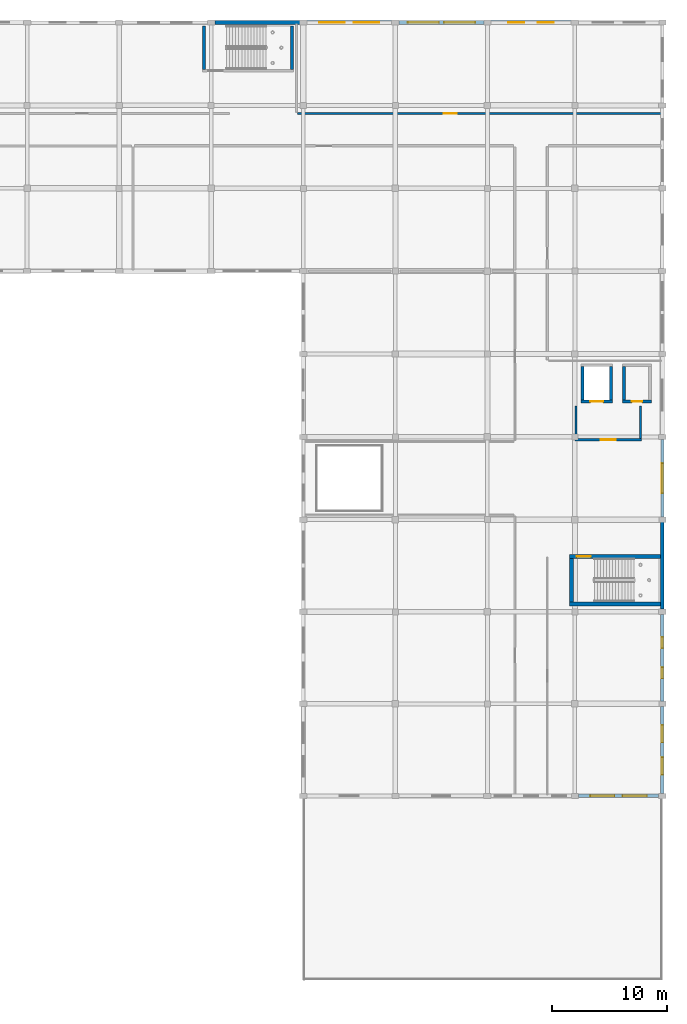
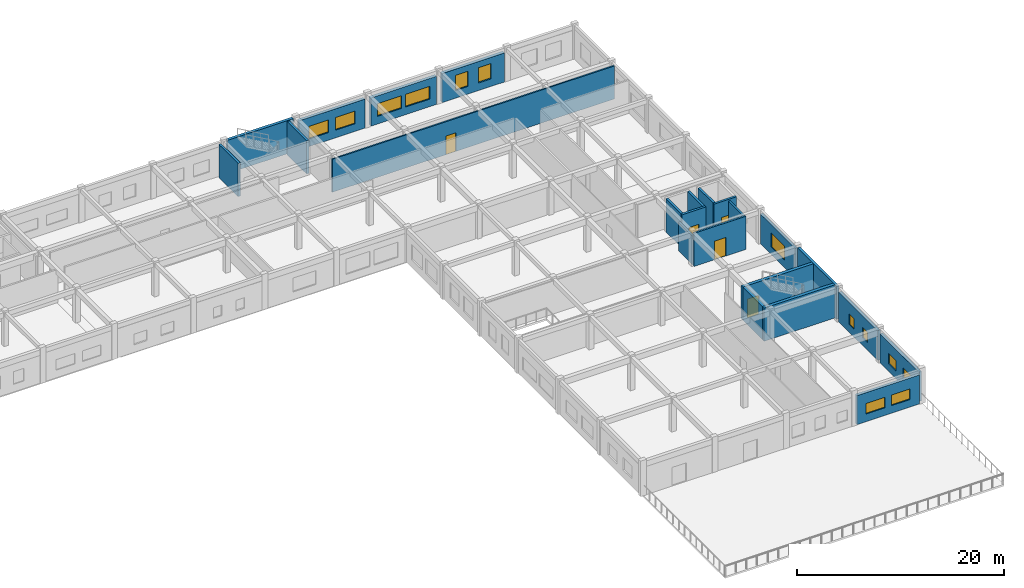
# One storey, part 14 of 19: 23 walls, 13 windows, 5 doors, 18 openings.
"""IFC4 building model written with IfcOpenShell, lengths in metres."""

from ifc_helpers import new_model, si_unit, direction, frame, frame_2d, origin, place, context, subcontext, project, spatial, rectangle, extrude, material, layer, layer_set, type_object, element, fill, save


model = new_model("IFC4")

# Units and contexts
model_context = context("Model", 3, precision=1e-05, world=origin(), true_north=direction((0.0, 1.0)))
body_context = subcontext(model_context, "Body", "Model", "MODEL_VIEW")
ifc_project = project(units=[si_unit("LENGTHUNIT", "METRE"), si_unit("AREAUNIT", "SQUARE_METRE"), si_unit("VOLUMEUNIT", "CUBIC_METRE"), si_unit("PLANEANGLEUNIT", "RADIAN"), si_unit("MASSUNIT", "GRAM", prefix="KILO")], contexts=[model_context])

# Site, building, storey
site_placement = place(None, origin())
site = spatial("IfcSite", under=ifc_project, at=site_placement, CompositionType="ELEMENT")
building_placement = place(site_placement, origin())
building = spatial("IfcBuilding", under=site, at=building_placement, Name="Kharva Crest Polytechnic", CompositionType="ELEMENT")
storey_placement = place(building_placement, frame((0.0, 0.0, 21.60009765625)))
storey = spatial("IfcBuildingStorey", under=building, at=storey_placement, Name="L05", CompositionType="ELEMENT", Elevation=21.60009765625)

# Wall
ifc_material_1 = material(Name="Concrete C40/50", Category="concrete")
ifc_layer_1 = layer(ifc_material_1, 0.35009765625, Name="Concrete C40/50")
ifc_layer_set_1 = layer_set([ifc_layer_1], Name="Concrete C40/50")
wall_type_1 = type_object("IfcWallType", Name="WL-CORE-CW1-350", PredefinedType="SHEAR", material=ifc_layer_set_1)
wall_1_placement = place(storey_placement, frame((175.949951171875, 71.4951171875, 0.0), z_axis=(0.0, 0.0, 1.0), x_axis=(1.0, 0.0, 0.0)))
element("IfcWall", 1, at=wall_1_placement, inside=storey, type_object=wall_type_1, Name="L05 East Crest Firefighting Core C5 South Shear Wall", PredefinedType="SHEAR", context=body_context, shape_type="SweptSolid", body=[
    extrude(rectangle(XDim=8.10009765625, YDim=0.35009765625, at=frame_2d((4.050048828125, 0.0))), origin(), (0.0, 0.0, 1.0), 3.919921875),
])

# Wall, opening, door
wall_2_placement = place(storey_placement, frame((175.949951171875, 75.60498046875, 0.0), z_axis=(0.0, 0.0, 1.0), x_axis=(1.0, 0.0, 0.0)))
wall_2 = element("IfcWall", 2, at=wall_2_placement, inside=storey, type_object=wall_type_1, Name="L05 East Crest Firefighting Core C5 North Shear Wall", PredefinedType="SHEAR", context=body_context, shape_type="SweptSolid", body=[
    extrude(rectangle(XDim=8.10009765625, YDim=0.35009765625, at=frame_2d((4.050048828125, 0.0))), origin(), (0.0, 0.0, 1.0), 3.919921875),
])
opening_1_placement = place(wall_2_placement, frame((0.60009765625, 0.0, 0.0)))
opening_1 = element("IfcOpeningElement", 3, at=opening_1_placement, cuts=wall_2, Name="Opening FD1B", PredefinedType="OPENING", context=body_context, shape_type="SweptSolid", body=[
    extrude(rectangle(XDim=1.25, YDim=2.199951171875, at=frame_2d((0.625, 1.10009765625))), frame((0.0, 0.18505859375, 0.0), z_axis=(0.0, -1.0, 0.0), x_axis=(1.0, 0.0, 0.0)), (0.0, 0.0, 1.0), 0.3701171875),
])
ifc_material_2 = material(Name="Teak timber", Category="wood")
door_type_1 = type_object("IfcDoorType", Name="DR-STAIR-1250X2200", OperationType="NOTDEFINED", PredefinedType="DOOR", material=ifc_material_2)
door_1_placement = place(opening_1_placement, origin())
door_1 = element("IfcDoor", 4, at=door_1_placement, inside=storey, type_object=door_type_1, Name="L05 ST-05 Stair Door", OperationType="SINGLE_SWING_LEFT", OverallHeight=2.199951171875, OverallWidth=1.25, PredefinedType="DOOR", context=body_context, shape_type="SweptSolid", body=[
    extrude(rectangle(XDim=1.25, YDim=2.199951171875, at=frame_2d((0.625, 1.10009765625))), frame((0.0, 0.02490234375, 0.0), z_axis=(0.0, -1.0, 0.0), x_axis=(1.0, 0.0, 0.0)), (0.0, 0.0, 1.0), 0.050048828125),
])
fill(opening_1, door_1)

# Wall
wall_3_placement = place(storey_placement, frame((176.125, 71.669921875, 0.0), z_axis=(0.0, 0.0, 1.0), x_axis=(0.0, 1.0, 0.0)))
element("IfcWall", 5, at=wall_3_placement, inside=storey, type_object=wall_type_1, Name="L05 East Crest Firefighting Core C5 West Shear Wall", PredefinedType="SHEAR", context=body_context, shape_type="SweptSolid", body=[
    extrude(rectangle(XDim=3.760009765625, YDim=0.35009765625, at=frame_2d((1.8798828125, 0.0))), origin(), (0.0, 0.0, 1.0), 3.919921875),
])

# Wall, opening, window
ifc_material_3 = material(Name="Kiln brick masonry", Category="masonry")
ifc_layer_2 = layer(ifc_material_3, 0.260009765625, Name="Kiln brick masonry")
ifc_layer_set_2 = layer_set([ifc_layer_2], Name="Kiln brick masonry")
wall_type_2 = type_object("IfcWallType", Name="WL-EXT-BRK-260", PredefinedType="SOLIDWALL", material=ifc_layer_set_2)
wall_4_placement = place(storey_placement, frame((184.0, 79.02001953125, 0.0), z_axis=(0.0, 0.0, 1.0), x_axis=(0.0, 1.0, 0.0)))
wall_4 = element("IfcWall", 6, at=wall_4_placement, inside=storey, type_object=wall_type_2, Name="L05 Exterior Brick Wall 467", PredefinedType="SOLIDWALL", context=body_context, shape_type="SweptSolid", body=[
    extrude(rectangle(XDim=6.760009765625, YDim=0.260009765625, at=frame_2d((3.3798828125, 0.0))), origin(), (0.0, 0.0, 1.0), 3.539794921875),
])
opening_2_placement = place(wall_4_placement, frame((2.080078125, 0.0, 0.89990234375)))
opening_2 = element("IfcOpeningElement", 7, at=opening_2_placement, cuts=wall_4, Name="Opening W24", PredefinedType="OPENING", context=body_context, shape_type="SweptSolid", body=[
    extrude(rectangle(XDim=2.60009765625, YDim=1.64990234375, at=frame_2d((1.300048828125, 0.824951171875))), frame((0.0, 0.139892578125, 0.0), z_axis=(0.0, -1.0, 0.0), x_axis=(1.0, 0.0, 0.0)), (0.0, 0.0, 1.0), 0.280029296875),
])
ifc_material_4 = material(Name="Anodised aluminium", Category="aluminium")
window_type_1 = type_object("IfcWindowType", Name="WIN-ALU-2600X1650", PartitioningType="SINGLE_PANEL", PredefinedType="WINDOW", material=ifc_material_4)
window_1_placement = place(opening_2_placement, origin())
window_1 = element("IfcWindow", 8, at=window_1_placement, inside=storey, type_object=window_type_1, Name="L05 Exterior Window 666", OverallHeight=1.64990234375, OverallWidth=2.60009765625, PartitioningType="SINGLE_PANEL", PredefinedType="WINDOW", context=body_context, shape_type="SweptSolid", body=[
    extrude(rectangle(XDim=2.60009765625, YDim=1.64990234375, at=frame_2d((1.300048828125, 0.824951171875))), frame((0.0, 0.030029296875, 0.0), z_axis=(0.0, -1.0, 0.0), x_axis=(1.0, 0.0, 0.0)), (0.0, 0.0, 1.0), 0.06005859375),
])
fill(opening_2, window_1)

# Wall
ifc_layer_3 = layer(ifc_material_3, 0.27490234375, Name="Kiln brick masonry")
ifc_layer_set_3 = layer_set([ifc_layer_3], Name="Kiln brick masonry")
wall_type_3 = type_object("IfcWallType", Name="WL-EXT-BRK-275", PredefinedType="SOLIDWALL", material=ifc_layer_set_3)
wall_5_placement = place(storey_placement, frame((184.0, 71.02001953125, 0.0), z_axis=(0.0, 0.0, 1.0), x_axis=(0.0, 1.0, 0.0)))
element("IfcWall", 9, at=wall_5_placement, inside=storey, type_object=wall_type_3, Name="L05 Exterior Brick Wall 466", PredefinedType="SOLIDWALL", context=body_context, shape_type="SweptSolid", body=[
    extrude(rectangle(XDim=7.56005859375, YDim=0.27490234375, at=frame_2d((3.780029296875, 0.0))), origin(), (0.0, 0.0, 1.0), 3.919921875),
])

# Wall, openings, windows
ifc_layer_4 = layer(ifc_material_3, 0.2900390625, Name="Kiln brick masonry")
ifc_layer_set_4 = layer_set([ifc_layer_4], Name="Kiln brick masonry")
wall_type_4 = type_object("IfcWallType", Name="WL-EXT-BRK-290", PredefinedType="SOLIDWALL", material=ifc_layer_set_4)
wall_6_placement = place(storey_placement, frame((184.0, 63.02001953125, 0.0), z_axis=(0.0, 0.0, 1.0), x_axis=(0.0, 1.0, 0.0)))
wall_6 = element("IfcWall", 10, at=wall_6_placement, inside=storey, type_object=wall_type_4, Name="L05 Exterior Brick Wall 465", PredefinedType="SOLIDWALL", context=body_context, shape_type="SweptSolid", body=[
    extrude(rectangle(XDim=7.56005859375, YDim=0.2900390625, at=frame_2d((3.780029296875, 0.0))), origin(), (0.0, 0.0, 1.0), 3.52001953125),
])
opening_3_placement = place(wall_6_placement, frame((1.992919921875, 0.0, 0.89990234375)))
opening_3 = element("IfcOpeningElement", 11, at=opening_3_placement, cuts=wall_6, Name="Opening W22", PredefinedType="OPENING", context=body_context, shape_type="SweptSolid", body=[
    extrude(rectangle(XDim=0.949951171875, YDim=1.25, at=frame_2d((0.47509765625, 0.625))), frame((0.0, 0.155029296875, 0.0), z_axis=(0.0, -1.0, 0.0), x_axis=(1.0, 0.0, 0.0)), (0.0, 0.0, 1.0), 0.31005859375),
])
opening_4_placement = place(wall_6_placement, frame((4.616943359375, 0.0, 0.89990234375)))
opening_4 = element("IfcOpeningElement", 12, at=opening_4_placement, cuts=wall_6, Name="Opening W22", PredefinedType="OPENING", context=body_context, shape_type="SweptSolid", body=[
    extrude(rectangle(XDim=0.949951171875, YDim=1.25, at=frame_2d((0.47509765625, 0.625))), frame((0.0, 0.155029296875, 0.0), z_axis=(0.0, -1.0, 0.0), x_axis=(1.0, 0.0, 0.0)), (0.0, 0.0, 1.0), 0.31005859375),
])
window_type_2 = type_object("IfcWindowType", Name="WIN-ALU-950X1250", PartitioningType="SINGLE_PANEL", PredefinedType="WINDOW", material=ifc_material_4)
window_2_placement = place(opening_3_placement, origin())
window_2 = element("IfcWindow", 13, at=window_2_placement, inside=storey, type_object=window_type_2, Name="L05 Exterior Window 664", OverallHeight=1.25, OverallWidth=0.949951171875, PartitioningType="SINGLE_PANEL", PredefinedType="WINDOW", context=body_context, shape_type="SweptSolid", body=[
    extrude(rectangle(XDim=0.949951171875, YDim=1.25, at=frame_2d((0.47509765625, 0.625))), frame((0.0, 0.030029296875, 0.0), z_axis=(0.0, -1.0, 0.0), x_axis=(1.0, 0.0, 0.0)), (0.0, 0.0, 1.0), 0.06005859375),
])
fill(opening_3, window_2)
window_3_placement = place(opening_4_placement, origin())
window_3 = element("IfcWindow", 14, at=window_3_placement, inside=storey, type_object=window_type_2, Name="L05 Exterior Window 665", OverallHeight=1.25, OverallWidth=0.949951171875, PartitioningType="SINGLE_PANEL", PredefinedType="WINDOW", context=body_context, shape_type="SweptSolid", body=[
    extrude(rectangle(XDim=0.949951171875, YDim=1.25, at=frame_2d((0.47509765625, 0.625))), frame((0.0, 0.030029296875, 0.0), z_axis=(0.0, -1.0, 0.0), x_axis=(1.0, 0.0, 0.0)), (0.0, 0.0, 1.0), 0.06005859375),
])
fill(opening_4, window_3)

ifc_layer_5 = layer(ifc_material_3, 0.304931640625, Name="Kiln brick masonry")
ifc_layer_set_5 = layer_set([ifc_layer_5], Name="Kiln brick masonry")
wall_type_5 = type_object("IfcWallType", Name="WL-EXT-BRK-305", PredefinedType="SOLIDWALL", material=ifc_layer_set_5)
wall_7_placement = place(storey_placement, frame((184.0, 55.02001953125, 0.0), z_axis=(0.0, 0.0, 1.0), x_axis=(0.0, 1.0, 0.0)))
wall_7 = element("IfcWall", 15, at=wall_7_placement, inside=storey, type_object=wall_type_5, Name="L05 Exterior Brick Wall 464", PredefinedType="SOLIDWALL", context=body_context, shape_type="SweptSolid", body=[
    extrude(rectangle(XDim=7.56005859375, YDim=0.304931640625, at=frame_2d((3.780029296875, 0.0))), origin(), (0.0, 0.0, 1.0), 3.4599609375),
])
opening_5_placement = place(wall_7_placement, frame((1.626953125, 0.0, 0.89990234375)))
opening_5 = element("IfcOpeningElement", 16, at=opening_5_placement, cuts=wall_7, Name="Opening W20", PredefinedType="OPENING", context=body_context, shape_type="SweptSolid", body=[
    extrude(rectangle(XDim=1.5, YDim=1.25, at=frame_2d((0.75, 0.625))), frame((0.0, 0.162353515625, 0.0), z_axis=(0.0, -1.0, 0.0), x_axis=(1.0, 0.0, 0.0)), (0.0, 0.0, 1.0), 0.324951171875),
])
opening_6_placement = place(wall_7_placement, frame((4.43310546875, 0.0, 0.89990234375)))
opening_6 = element("IfcOpeningElement", 17, at=opening_6_placement, cuts=wall_7, Name="Opening W20", PredefinedType="OPENING", context=body_context, shape_type="SweptSolid", body=[
    extrude(rectangle(XDim=1.5, YDim=1.25, at=frame_2d((0.75, 0.625))), frame((0.0, 0.162353515625, 0.0), z_axis=(0.0, -1.0, 0.0), x_axis=(1.0, 0.0, 0.0)), (0.0, 0.0, 1.0), 0.324951171875),
])
window_type_3 = type_object("IfcWindowType", Name="WIN-ALU-1500X1250", PartitioningType="SINGLE_PANEL", PredefinedType="WINDOW", material=ifc_material_4)
window_4_placement = place(opening_5_placement, origin())
window_4 = element("IfcWindow", 18, at=window_4_placement, inside=storey, type_object=window_type_3, Name="L05 Exterior Window 662", OverallHeight=1.25, OverallWidth=1.5, PartitioningType="SINGLE_PANEL", PredefinedType="WINDOW", context=body_context, shape_type="SweptSolid", body=[
    extrude(rectangle(XDim=1.5, YDim=1.25, at=frame_2d((0.75, 0.625))), frame((0.0, 0.030029296875, 0.0), z_axis=(0.0, -1.0, 0.0), x_axis=(1.0, 0.0, 0.0)), (0.0, 0.0, 1.0), 0.06005859375),
])
fill(opening_5, window_4)
window_5_placement = place(opening_6_placement, origin())
window_5 = element("IfcWindow", 19, at=window_5_placement, inside=storey, type_object=window_type_3, Name="L05 Exterior Window 663", OverallHeight=1.25, OverallWidth=1.5, PartitioningType="SINGLE_PANEL", PredefinedType="WINDOW", context=body_context, shape_type="SweptSolid", body=[
    extrude(rectangle(XDim=1.5, YDim=1.25, at=frame_2d((0.75, 0.625))), frame((0.0, 0.030029296875, 0.0), z_axis=(0.0, -1.0, 0.0), x_axis=(1.0, 0.0, 0.0)), (0.0, 0.0, 1.0), 0.06005859375),
])
fill(opening_6, window_5)

# Wall
ifc_layer_6 = layer(ifc_material_3, 0.320068359375, Name="Kiln brick masonry")
ifc_layer_set_6 = layer_set([ifc_layer_6], Name="Kiln brick masonry")
wall_type_6 = type_object("IfcWallType", Name="WL-EXT-BRK-320", PredefinedType="SOLIDWALL", material=ifc_layer_set_6)
wall_8_placement = place(storey_placement, frame((152.4951171875, 122.0, 0.0), z_axis=(0.0, 0.0, 1.0), x_axis=(-1.0, 0.0, 0.0)))
element("IfcWall", 20, at=wall_8_placement, inside=storey, type_object=wall_type_6, Name="L05 Exterior Brick Wall 427", PredefinedType="SOLIDWALL", context=body_context, shape_type="SweptSolid", body=[
    extrude(rectangle(XDim=7.375, YDim=0.320068359375, at=frame_2d((3.6875, 0.0))), origin(), (0.0, 0.0, 1.0), 3.919921875),
])

# Wall, openings, windows
wall_9_placement = place(storey_placement, frame((176.705078125, 54.800048828125, 0.0), z_axis=(0.0, 0.0, 1.0), x_axis=(1.0, 0.0, 0.0)))
wall_9 = element("IfcWall", 21, at=wall_9_placement, inside=storey, type_object=wall_type_6, Name="L05 Exterior Brick Wall 463", PredefinedType="SOLIDWALL", context=body_context, shape_type="SweptSolid", body=[
    extrude(rectangle(XDim=6.974853515625, YDim=0.320068359375, at=frame_2d((3.4873046875, 0.0))), origin(), (0.0, 0.0, 1.0), 3.429931640625),
])
opening_7_placement = place(wall_9_placement, frame((1.031982421875, 0.0, 0.89990234375)))
opening_7 = element("IfcOpeningElement", 22, at=opening_7_placement, cuts=wall_9, Name="Opening W18", PredefinedType="OPENING", context=body_context, shape_type="SweptSolid", body=[
    extrude(rectangle(XDim=2.10009765625, YDim=1.25, at=frame_2d((1.050048828125, 0.625))), frame((0.0, 0.169921875, 0.0), z_axis=(0.0, -1.0, 0.0), x_axis=(1.0, 0.0, 0.0)), (0.0, 0.0, 1.0), 0.340087890625),
])
opening_8_placement = place(wall_9_placement, frame((3.843017578125, 0.0, 0.89990234375)))
opening_8 = element("IfcOpeningElement", 23, at=opening_8_placement, cuts=wall_9, Name="Opening W18", PredefinedType="OPENING", context=body_context, shape_type="SweptSolid", body=[
    extrude(rectangle(XDim=2.10009765625, YDim=1.25, at=frame_2d((1.050048828125, 0.625))), frame((0.0, 0.169921875, 0.0), z_axis=(0.0, -1.0, 0.0), x_axis=(1.0, 0.0, 0.0)), (0.0, 0.0, 1.0), 0.340087890625),
])
window_type_4 = type_object("IfcWindowType", Name="WIN-ALU-2100X1250", PartitioningType="SINGLE_PANEL", PredefinedType="WINDOW", material=ifc_material_4)
window_6_placement = place(opening_7_placement, origin())
window_6 = element("IfcWindow", 24, at=window_6_placement, inside=storey, type_object=window_type_4, Name="L05 Exterior Window 660", OverallHeight=1.25, OverallWidth=2.10009765625, PartitioningType="SINGLE_PANEL", PredefinedType="WINDOW", context=body_context, shape_type="SweptSolid", body=[
    extrude(rectangle(XDim=2.10009765625, YDim=1.25, at=frame_2d((1.050048828125, 0.625))), frame((0.0, 0.030029296875, 0.0), z_axis=(0.0, -1.0, 0.0), x_axis=(1.0, 0.0, 0.0)), (0.0, 0.0, 1.0), 0.06005859375),
])
fill(opening_7, window_6)
window_7_placement = place(opening_8_placement, origin())
window_7 = element("IfcWindow", 25, at=window_7_placement, inside=storey, type_object=window_type_4, Name="L05 Exterior Window 661", OverallHeight=1.25, OverallWidth=2.10009765625, PartitioningType="SINGLE_PANEL", PredefinedType="WINDOW", context=body_context, shape_type="SweptSolid", body=[
    extrude(rectangle(XDim=2.10009765625, YDim=1.25, at=frame_2d((1.050048828125, 0.625))), frame((0.0, 0.030029296875, 0.0), z_axis=(0.0, -1.0, 0.0), x_axis=(1.0, 0.0, 0.0)), (0.0, 0.0, 1.0), 0.06005859375),
])
fill(opening_8, window_7)

ifc_layer_7 = layer(ifc_material_3, 0.3349609375, Name="Kiln brick masonry")
ifc_layer_set_7 = layer_set([ifc_layer_7], Name="Kiln brick masonry")
wall_type_7 = type_object("IfcWallType", Name="WL-EXT-BRK-335", PredefinedType="SOLIDWALL", material=ifc_layer_set_7)
wall_10_placement = place(storey_placement, frame((160.47998046875, 122.0, 0.0), z_axis=(0.0, 0.0, 1.0), x_axis=(-1.0, 0.0, 0.0)))
wall_10 = element("IfcWall", 26, at=wall_10_placement, inside=storey, type_object=wall_type_7, Name="L05 Exterior Brick Wall 426", PredefinedType="SOLIDWALL", context=body_context, shape_type="SweptSolid", body=[
    extrude(rectangle(XDim=7.375, YDim=0.3349609375, at=frame_2d((3.6875, 0.0))), origin(), (0.0, 0.0, 1.0), 3.429931640625),
])
opening_9_placement = place(wall_10_placement, frame((1.097900390625, 0.0, 0.89990234375)))
opening_9 = element("IfcOpeningElement", 27, at=opening_9_placement, cuts=wall_10, Name="Opening W11", PredefinedType="OPENING", context=body_context, shape_type="SweptSolid", body=[
    extrude(rectangle(XDim=2.199951171875, YDim=1.5, at=frame_2d((1.10009765625, 0.75))), frame((0.0, 0.177490234375, 0.0), z_axis=(0.0, -1.0, 0.0), x_axis=(1.0, 0.0, 0.0)), (0.0, 0.0, 1.0), 0.35498046875),
])
opening_10_placement = place(wall_10_placement, frame((4.076904296875, 0.0, 0.89990234375)))
opening_10 = element("IfcOpeningElement", 28, at=opening_10_placement, cuts=wall_10, Name="Opening W11", PredefinedType="OPENING", context=body_context, shape_type="SweptSolid", body=[
    extrude(rectangle(XDim=2.199951171875, YDim=1.5, at=frame_2d((1.10009765625, 0.75))), frame((0.0, 0.177490234375, 0.0), z_axis=(0.0, -1.0, 0.0), x_axis=(1.0, 0.0, 0.0)), (0.0, 0.0, 1.0), 0.35498046875),
])
window_type_5 = type_object("IfcWindowType", Name="WIN-ALU-2200X1500", PartitioningType="SINGLE_PANEL", PredefinedType="WINDOW", material=ifc_material_4)
window_8_placement = place(opening_9_placement, origin())
window_8 = element("IfcWindow", 29, at=window_8_placement, inside=storey, type_object=window_type_5, Name="L05 Exterior Window 605", OverallHeight=1.5, OverallWidth=2.199951171875, PartitioningType="SINGLE_PANEL", PredefinedType="WINDOW", context=body_context, shape_type="SweptSolid", body=[
    extrude(rectangle(XDim=2.199951171875, YDim=1.5, at=frame_2d((1.10009765625, 0.75))), frame((0.0, 0.030029296875, 0.0), z_axis=(0.0, -1.0, 0.0), x_axis=(1.0, 0.0, 0.0)), (0.0, 0.0, 1.0), 0.06005859375),
])
fill(opening_9, window_8)
window_9_placement = place(opening_10_placement, origin())
window_9 = element("IfcWindow", 30, at=window_9_placement, inside=storey, type_object=window_type_5, Name="L05 Exterior Window 606", OverallHeight=1.5, OverallWidth=2.199951171875, PartitioningType="SINGLE_PANEL", PredefinedType="WINDOW", context=body_context, shape_type="SweptSolid", body=[
    extrude(rectangle(XDim=2.199951171875, YDim=1.5, at=frame_2d((1.10009765625, 0.75))), frame((0.0, 0.030029296875, 0.0), z_axis=(0.0, -1.0, 0.0), x_axis=(1.0, 0.0, 0.0)), (0.0, 0.0, 1.0), 0.06005859375),
])
fill(opening_10, window_9)

ifc_layer_8 = layer(ifc_material_3, 0.35009765625, Name="Kiln brick masonry")
ifc_layer_set_8 = layer_set([ifc_layer_8], Name="Kiln brick masonry")
wall_type_8 = type_object("IfcWallType", Name="WL-EXT-BRK-350", PredefinedType="SOLIDWALL", material=ifc_layer_set_8)
wall_11_placement = place(storey_placement, frame((168.4951171875, 122.0, 0.0), z_axis=(0.0, 0.0, 1.0), x_axis=(-1.0, 0.0, 0.0)))
wall_11 = element("IfcWall", 31, at=wall_11_placement, inside=storey, type_object=wall_type_8, Name="L05 Exterior Brick Wall 425", PredefinedType="SOLIDWALL", context=body_context, shape_type="SweptSolid", body=[
    extrude(rectangle(XDim=7.375, YDim=0.35009765625, at=frame_2d((3.6875, 0.0))), origin(), (0.0, 0.0, 1.0), 3.329833984375),
])
opening_11_placement = place(wall_11_placement, frame((0.764892578125, 0.0, 0.89990234375)))
opening_11 = element("IfcOpeningElement", 32, at=opening_11_placement, cuts=wall_11, Name="Opening W09", PredefinedType="OPENING", context=body_context, shape_type="SweptSolid", body=[
    extrude(rectangle(XDim=2.699951171875, YDim=1.5, at=frame_2d((1.35009765625, 0.75))), frame((0.0, 0.18505859375, 0.0), z_axis=(0.0, -1.0, 0.0), x_axis=(1.0, 0.0, 0.0)), (0.0, 0.0, 1.0), 0.3701171875),
])
opening_12_placement = place(wall_11_placement, frame((3.909912109375, 0.0, 0.89990234375)))
opening_12 = element("IfcOpeningElement", 33, at=opening_12_placement, cuts=wall_11, Name="Opening W09", PredefinedType="OPENING", context=body_context, shape_type="SweptSolid", body=[
    extrude(rectangle(XDim=2.699951171875, YDim=1.5, at=frame_2d((1.35009765625, 0.75))), frame((0.0, 0.18505859375, 0.0), z_axis=(0.0, -1.0, 0.0), x_axis=(1.0, 0.0, 0.0)), (0.0, 0.0, 1.0), 0.3701171875),
])
window_type_6 = type_object("IfcWindowType", Name="WIN-ALU-2700X1500", PartitioningType="SINGLE_PANEL", PredefinedType="WINDOW", material=ifc_material_4)
window_10_placement = place(opening_11_placement, origin())
window_10 = element("IfcWindow", 34, at=window_10_placement, inside=storey, type_object=window_type_6, Name="L05 Exterior Window 603", OverallHeight=1.5, OverallWidth=2.699951171875, PartitioningType="SINGLE_PANEL", PredefinedType="WINDOW", context=body_context, shape_type="SweptSolid", body=[
    extrude(rectangle(XDim=2.699951171875, YDim=1.5, at=frame_2d((1.35009765625, 0.75))), frame((0.0, 0.030029296875, 0.0), z_axis=(0.0, -1.0, 0.0), x_axis=(1.0, 0.0, 0.0)), (0.0, 0.0, 1.0), 0.06005859375),
])
fill(opening_11, window_10)
window_11_placement = place(opening_12_placement, origin())
window_11 = element("IfcWindow", 35, at=window_11_placement, inside=storey, type_object=window_type_6, Name="L05 Exterior Window 604", OverallHeight=1.5, OverallWidth=2.699951171875, PartitioningType="SINGLE_PANEL", PredefinedType="WINDOW", context=body_context, shape_type="SweptSolid", body=[
    extrude(rectangle(XDim=2.699951171875, YDim=1.5, at=frame_2d((1.35009765625, 0.75))), frame((0.0, 0.030029296875, 0.0), z_axis=(0.0, -1.0, 0.0), x_axis=(1.0, 0.0, 0.0)), (0.0, 0.0, 1.0), 0.06005859375),
])
fill(opening_12, window_11)

ifc_layer_9 = layer(ifc_material_3, 0.364990234375, Name="Kiln brick masonry")
ifc_layer_set_9 = layer_set([ifc_layer_9], Name="Kiln brick masonry")
wall_type_9 = type_object("IfcWallType", Name="WL-EXT-BRK-365", PredefinedType="SOLIDWALL", material=ifc_layer_set_9)
wall_12_placement = place(storey_placement, frame((176.080078125, 122.0, 0.0), z_axis=(0.0, 0.0, 1.0), x_axis=(-1.0, 0.0, 0.0)))
wall_12 = element("IfcWall", 36, at=wall_12_placement, inside=storey, type_object=wall_type_9, Name="L05 Exterior Brick Wall 424", PredefinedType="SOLIDWALL", context=body_context, shape_type="SweptSolid", body=[
    extrude(rectangle(XDim=6.97509765625, YDim=0.364990234375, at=frame_2d((3.487548828125, 0.0))), origin(), (0.0, 0.0, 1.0), 3.429931640625),
])
opening_13_placement = place(wall_12_placement, frame((1.498046875, 0.0, 0.89990234375)))
opening_13 = element("IfcOpeningElement", 37, at=opening_13_placement, cuts=wall_12, Name="Opening W07", PredefinedType="OPENING", context=body_context, shape_type="SweptSolid", body=[
    extrude(rectangle(XDim=1.39990234375, YDim=1.800048828125, at=frame_2d((0.699951171875, 0.89990234375))), frame((0.0, 0.1923828125, 0.0), z_axis=(0.0, -1.0, 0.0), x_axis=(1.0, 0.0, 0.0)), (0.0, 0.0, 1.0), 0.385009765625),
])
opening_14_placement = place(wall_12_placement, frame((4.076904296875, 0.0, 0.89990234375)))
opening_14 = element("IfcOpeningElement", 38, at=opening_14_placement, cuts=wall_12, Name="Opening W07", PredefinedType="OPENING", context=body_context, shape_type="SweptSolid", body=[
    extrude(rectangle(XDim=1.39990234375, YDim=1.800048828125, at=frame_2d((0.699951171875, 0.89990234375))), frame((0.0, 0.1923828125, 0.0), z_axis=(0.0, -1.0, 0.0), x_axis=(1.0, 0.0, 0.0)), (0.0, 0.0, 1.0), 0.385009765625),
])
window_type_7 = type_object("IfcWindowType", Name="WIN-ALU-1400X1800", PartitioningType="SINGLE_PANEL", PredefinedType="WINDOW", material=ifc_material_4)
window_12_placement = place(opening_13_placement, origin())
window_12 = element("IfcWindow", 39, at=window_12_placement, inside=storey, type_object=window_type_7, Name="L05 Exterior Window 601", OverallHeight=1.800048828125, OverallWidth=1.39990234375, PartitioningType="SINGLE_PANEL", PredefinedType="WINDOW", context=body_context, shape_type="SweptSolid", body=[
    extrude(rectangle(XDim=1.39990234375, YDim=1.800048828125, at=frame_2d((0.699951171875, 0.89990234375))), frame((0.0, 0.030029296875, 0.0), z_axis=(0.0, -1.0, 0.0), x_axis=(1.0, 0.0, 0.0)), (0.0, 0.0, 1.0), 0.06005859375),
])
fill(opening_13, window_12)
window_13_placement = place(opening_14_placement, origin())
window_13 = element("IfcWindow", 40, at=window_13_placement, inside=storey, type_object=window_type_7, Name="L05 Exterior Window 602", OverallHeight=1.800048828125, OverallWidth=1.39990234375, PartitioningType="SINGLE_PANEL", PredefinedType="WINDOW", context=body_context, shape_type="SweptSolid", body=[
    extrude(rectangle(XDim=1.39990234375, YDim=1.800048828125, at=frame_2d((0.699951171875, 0.89990234375))), frame((0.0, 0.030029296875, 0.0), z_axis=(0.0, -1.0, 0.0), x_axis=(1.0, 0.0, 0.0)), (0.0, 0.0, 1.0), 0.06005859375),
])
fill(opening_14, window_13)

# Wall, opening, door
ifc_layer_10 = layer(ifc_material_3, 0.199951171875, Name="Kiln brick masonry")
ifc_layer_set_10 = layer_set([ifc_layer_10], Name="Kiln brick masonry")
wall_type_10 = type_object("IfcWallType", Name="WL-FIRE-FW1-200", PredefinedType="SOLIDWALL", material=ifc_layer_set_10)
wall_13_placement = place(storey_placement, frame((176.39990234375, 85.75, 0.0), z_axis=(0.0, 0.0, 1.0), x_axis=(1.0, 0.0, 0.0)))
wall_13 = element("IfcWall", 41, at=wall_13_placement, inside=storey, type_object=wall_type_10, Name="L05 Firefighting Lobby FL2 South Wall", PredefinedType="SOLIDWALL", context=body_context, shape_type="SweptSolid", body=[
    extrude(rectangle(XDim=5.800048828125, YDim=0.199951171875, at=frame_2d((2.89990234375, 0.0))), origin(), (0.0, 0.0, 1.0), 3.919921875),
])
opening_15_placement = place(wall_13_placement, frame((2.25, 0.0, 0.0)))
opening_15 = element("IfcOpeningElement", 42, at=opening_15_placement, cuts=wall_13, Name="Opening FD2", PredefinedType="OPENING", context=body_context, shape_type="SweptSolid", body=[
    extrude(rectangle(XDim=1.300048828125, YDim=2.199951171875, at=frame_2d((0.64990234375, 1.10009765625))), frame((0.0, 0.10986328125, 0.0), z_axis=(0.0, -1.0, 0.0), x_axis=(1.0, 0.0, 0.0)), (0.0, 0.0, 1.0), 0.219970703125),
])
door_type_2 = type_object("IfcDoorType", Name="DR-FFLOB-1300X2200", OperationType="NOTDEFINED", PredefinedType="DOOR", material=ifc_material_2)
door_2_placement = place(opening_15_placement, origin())
door_2 = element("IfcDoor", 43, at=door_2_placement, inside=storey, type_object=door_type_2, Name="L05 Firefighting Lobby FL2 Smoke Door", OperationType="SINGLE_SWING_RIGHT", OverallHeight=2.199951171875, OverallWidth=1.300048828125, PredefinedType="DOOR", context=body_context, shape_type="SweptSolid", body=[
    extrude(rectangle(XDim=1.300048828125, YDim=2.199951171875, at=frame_2d((0.64990234375, 1.10009765625))), frame((0.0, 0.02490234375, 0.0), z_axis=(0.0, -1.0, 0.0), x_axis=(1.0, 0.0, 0.0)), (0.0, 0.0, 1.0), 0.050048828125),
])
fill(opening_15, door_2)

# Walls
wall_14_placement = place(storey_placement, frame((176.5, 85.85009765625, 0.0), z_axis=(0.0, 0.0, 1.0), x_axis=(0.0, 1.0, 0.0)))
element("IfcWall", 44, at=wall_14_placement, inside=storey, type_object=wall_type_10, Name="L05 Firefighting Lobby FL2 West Wall", PredefinedType="SOLIDWALL", context=body_context, shape_type="SweptSolid", body=[
    extrude(rectangle(XDim=2.849853515625, YDim=0.199951171875, at=frame_2d((1.4248046875, 0.0))), origin(), (0.0, 0.0, 1.0), 3.39990234375),
])
wall_15_placement = place(storey_placement, frame((182.10009765625, 85.85009765625, 0.0), z_axis=(0.0, 0.0, 1.0), x_axis=(0.0, 1.0, 0.0)))
element("IfcWall", 45, at=wall_15_placement, inside=storey, type_object=wall_type_10, Name="L05 Firefighting Lobby FL2 East Wall", PredefinedType="SOLIDWALL", context=body_context, shape_type="SweptSolid", body=[
    extrude(rectangle(XDim=2.849853515625, YDim=0.199951171875, at=frame_2d((1.4248046875, 0.0))), origin(), (0.0, 0.0, 1.0), 3.919921875),
])

# Wall, opening, door
ifc_layer_11 = layer(ifc_material_3, 0.159912109375, Name="Kiln brick masonry")
ifc_layer_set_11 = layer_set([ifc_layer_11], Name="Kiln brick masonry")
wall_type_11 = type_object("IfcWallType", Name="WL-PART-160", PredefinedType="PARTITIONING", material=ifc_layer_set_11)
wall_16_placement = place(storey_placement, frame((152.31005859375, 114.10009765625, 0.0), z_axis=(0.0, 0.0, 1.0), x_axis=(1.0, 0.0, 0.0)))
wall_16 = element("IfcWall", 46, at=wall_16_placement, inside=storey, type_object=wall_type_11, Name="L05 Interior Partition 382", PredefinedType="PARTITIONING", context=body_context, shape_type="SweptSolid", body=[
    extrude(rectangle(XDim=31.579833984375, YDim=0.159912109375, at=frame_2d((15.7900390625, 0.0))), origin(), (0.0, 0.0, 1.0), 3.89990234375),
])
opening_16_placement = place(wall_16_placement, frame((12.7041015625, 0.0, 0.0)))
opening_16 = element("IfcOpeningElement", 47, at=opening_16_placement, cuts=wall_16, Name="Opening ID9", PredefinedType="OPENING", context=body_context, shape_type="SweptSolid", body=[
    extrude(rectangle(XDim=1.1201171875, YDim=2.199951171875, at=frame_2d((0.56005859375, 1.10009765625))), frame((0.0, 0.08984375, 0.0), z_axis=(0.0, -1.0, 0.0), x_axis=(1.0, 0.0, 0.0)), (0.0, 0.0, 1.0), 0.179931640625),
])
door_type_3 = type_object("IfcDoorType", Name="DR-STD-1120X2200", OperationType="NOTDEFINED", PredefinedType="DOOR", material=ifc_material_2)
door_3_placement = place(opening_16_placement, origin())
door_3 = element("IfcDoor", 48, at=door_3_placement, inside=storey, type_object=door_type_3, Name="L05 Industrial Prototyping Studio L05 Door", OperationType="SINGLE_SWING_LEFT", OverallHeight=2.199951171875, OverallWidth=1.1201171875, PredefinedType="DOOR", context=body_context, shape_type="SweptSolid", body=[
    extrude(rectangle(XDim=1.1201171875, YDim=2.199951171875, at=frame_2d((0.56005859375, 1.10009765625))), frame((0.0, 0.02490234375, 0.0), z_axis=(0.0, -1.0, 0.0), x_axis=(1.0, 0.0, 0.0)), (0.0, 0.0, 1.0), 0.050048828125),
])
fill(opening_16, door_3)

ifc_layer_12 = layer(ifc_material_1, 0.25, Name="Concrete C40/50")
ifc_layer_set_12 = layer_set([ifc_layer_12], Name="Concrete C40/50")
wall_type_12 = type_object("IfcWallType", Name="WL-SHEAR-SW1-250", PredefinedType="SHEAR", material=ifc_layer_set_12)
wall_17_placement = place(storey_placement, frame((176.949951171875, 89.074951171875, 0.0), z_axis=(0.0, 0.0, 1.0), x_axis=(1.0, 0.0, 0.0)))
wall_17 = element("IfcWall", 49, at=wall_17_placement, inside=storey, type_object=wall_type_12, Name="L05 Lift FL2 South Shaft Wall", PredefinedType="SHEAR", context=body_context, shape_type="SweptSolid", body=[
    extrude(rectangle(XDim=2.699951171875, YDim=0.25, at=frame_2d((1.35009765625, 0.0))), origin(), (0.0, 0.0, 1.0), 3.919921875),
])
opening_17_placement = place(wall_17_placement, frame((0.800048828125, 0.0, 0.0)))
opening_17 = element("IfcOpeningElement", 50, at=opening_17_placement, cuts=wall_17, Name="Opening LD1", PredefinedType="OPENING", context=body_context, shape_type="SweptSolid", body=[
    extrude(rectangle(XDim=1.10009765625, YDim=2.14990234375, at=frame_2d((0.550048828125, 1.074951171875))), frame((0.0, 0.135009765625, 0.0), z_axis=(0.0, -1.0, 0.0), x_axis=(1.0, 0.0, 0.0)), (0.0, 0.0, 1.0), 0.27001953125),
])
door_type_4 = type_object("IfcDoorType", Name="DR-LIFT-LD1-1100X2150", OperationType="SLIDING_TO_LEFT", PredefinedType="DOOR", material=ifc_material_4)
door_4_placement = place(opening_17_placement, origin())
door_4 = element("IfcDoor", 51, at=door_4_placement, inside=storey, type_object=door_type_4, Name="L05 Lift FL2 Sliding Landing Door", OperationType="SLIDING_TO_LEFT", OverallHeight=2.14990234375, OverallWidth=1.10009765625, PredefinedType="DOOR", context=body_context, shape_type="SweptSolid", body=[
    extrude(rectangle(XDim=1.10009765625, YDim=2.14990234375, at=frame_2d((0.550048828125, 1.074951171875))), frame((0.0, 0.02490234375, 0.0), z_axis=(0.0, -1.0, 0.0), x_axis=(1.0, 0.0, 0.0)), (0.0, 0.0, 1.0), 0.050048828125),
])
fill(opening_17, door_4)

# Walls
for number, where, z_axis, x_axis, name in (
    (52, (177.074951171875, 89.199951171875, 0.0), (0.0, 0.0, 1.0), (0.0, 1.0, 0.0), "L05 Lift FL2 West Shaft Wall"),
    (53, (179.52490234375, 89.199951171875, 0.0), (0.0, 0.0, 1.0), (0.0, 1.0, 0.0), "L05 Lift FL2 East Shaft Wall"),
):
    element("IfcWall", number, at=place(storey_placement, frame(where, z_axis=z_axis, x_axis=x_axis)), inside=storey, type_object=wall_type_12, Name=name, PredefinedType="SHEAR", context=body_context, shape_type="SweptSolid", body=[
        extrude(rectangle(XDim=2.900146484375, YDim=0.25, at=frame_2d((1.4501953125, 0.0))), origin(), (0.0, 0.0, 1.0), 3.919921875),
    ])

# Wall, opening, door
wall_18_placement = place(storey_placement, frame((180.550048828125, 89.074951171875, 0.0), z_axis=(0.0, 0.0, 1.0), x_axis=(1.0, 0.0, 0.0)))
wall_18 = element("IfcWall", 54, at=wall_18_placement, inside=storey, type_object=wall_type_12, Name="L05 Core C5 Riser South Wall", PredefinedType="SHEAR", context=body_context, shape_type="SweptSolid", body=[
    extrude(rectangle(XDim=2.5, YDim=0.25, at=frame_2d((1.25, 0.0))), origin(), (0.0, 0.0, 1.0), 3.919921875),
])
opening_18_placement = place(wall_18_placement, frame((0.800048828125, 0.0, 0.0)))
opening_18 = element("IfcOpeningElement", 55, at=opening_18_placement, cuts=wall_18, Name="Opening FD3", PredefinedType="OPENING", context=body_context, shape_type="SweptSolid", body=[
    extrude(rectangle(XDim=0.89990234375, YDim=2.050048828125, at=frame_2d((0.449951171875, 1.02490234375))), frame((0.0, 0.135009765625, 0.0), z_axis=(0.0, -1.0, 0.0), x_axis=(1.0, 0.0, 0.0)), (0.0, 0.0, 1.0), 0.27001953125),
])
door_type_5 = type_object("IfcDoorType", Name="DR-RISER-900X2050", OperationType="NOTDEFINED", PredefinedType="DOOR", material=ifc_material_4)
door_5_placement = place(opening_18_placement, origin())
door_5 = element("IfcDoor", 56, at=door_5_placement, inside=storey, type_object=door_type_5, Name="L05 Core C5 Riser Access Door", OperationType="SINGLE_SWING_LEFT", OverallHeight=2.050048828125, OverallWidth=0.89990234375, PredefinedType="DOOR", context=body_context, shape_type="SweptSolid", body=[
    extrude(rectangle(XDim=0.89990234375, YDim=2.050048828125, at=frame_2d((0.449951171875, 1.02490234375))), frame((0.0, 0.02490234375, 0.0), z_axis=(0.0, -1.0, 0.0), x_axis=(1.0, 0.0, 0.0)), (0.0, 0.0, 1.0), 0.050048828125),
])
fill(opening_18, door_5)

# Walls
wall_19_placement = place(storey_placement, frame((180.675048828125, 89.199951171875, 0.0), z_axis=(0.0, 0.0, 1.0), x_axis=(0.0, 1.0, 0.0)))
element("IfcWall", 57, at=wall_19_placement, inside=storey, type_object=wall_type_12, Name="L05 Core C5 Riser West Wall", PredefinedType="SHEAR", context=body_context, shape_type="SweptSolid", body=[
    extrude(rectangle(XDim=2.900146484375, YDim=0.25, at=frame_2d((1.4501953125, 0.0))), origin(), (0.0, 0.0, 1.0), 3.919921875),
])
for number, where, z_axis, x_axis, name in (
    (58, (144.175048828125, 117.93994140625, 0.0), (0.0, 0.0, 1.0), (0.0, 1.0, 0.0), "L05 North-East Library Wing Stair C9 West Shear Wall"),
    (59, (151.824951171875, 117.93994140625, 0.0), (0.0, 0.0, 1.0), (0.0, 1.0, 0.0), "L05 North-East Library Wing Stair C9 East Shear Wall"),
):
    element("IfcWall", number, at=place(storey_placement, frame(where, z_axis=z_axis, x_axis=x_axis)), inside=storey, type_object=wall_type_12, Name=name, PredefinedType="SHEAR", context=body_context, shape_type="SweptSolid", body=[
        extrude(rectangle(XDim=3.760009765625, YDim=0.25, at=frame_2d((1.8798828125, 0.0))), origin(), (0.0, 0.0, 1.0), 3.919921875),
    ])

save(model, "model.ifc")
